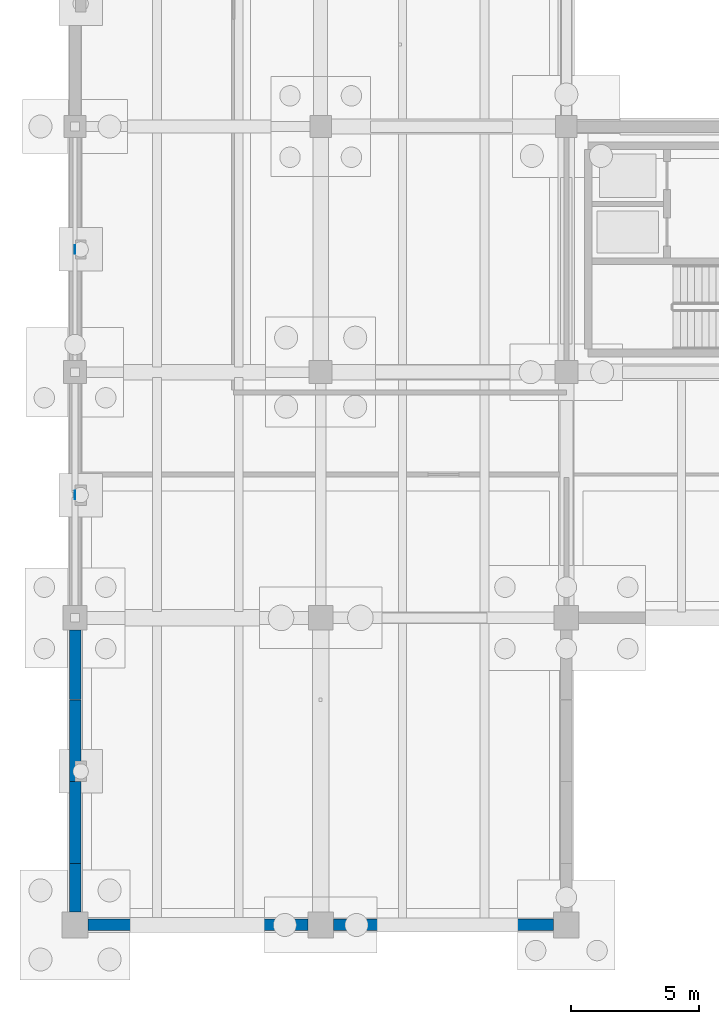
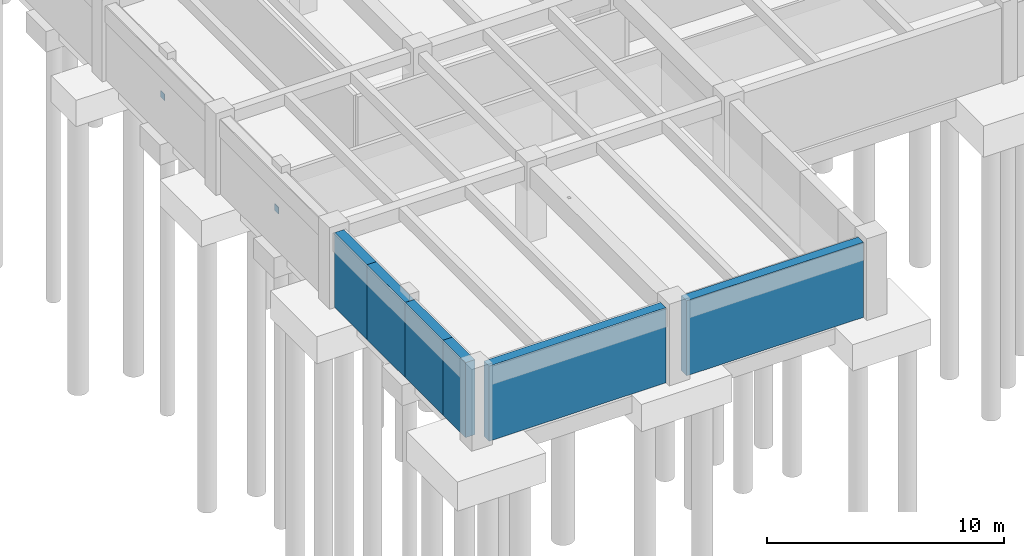
# One storey, part 14 of 41: 6 walls, 2 plates.
"""IFC4 building model written with IfcOpenShell, lengths in metres."""

from ifc_helpers import new_model, si_unit, direction, frame, frame_2d, origin, origin_2d, place, context, subcontext, project, spatial, rectangle, extrude, material, layer, layer_set, type_object, element, save


model = new_model("IFC4")

# Units and contexts
model_context = context("Model", 3, precision=1e-05, world=origin(), true_north=direction((0.0, 1.0)))
body_context = subcontext(model_context, "Body", "Model", "MODEL_VIEW")
ifc_project = project(units=[si_unit("LENGTHUNIT", "METRE"), si_unit("AREAUNIT", "SQUARE_METRE"), si_unit("VOLUMEUNIT", "CUBIC_METRE"), si_unit("PLANEANGLEUNIT", "RADIAN"), si_unit("MASSUNIT", "GRAM", prefix="KILO")], contexts=[model_context])

# Site, building, storey
site_placement = place(None, origin())
site = spatial("IfcSite", under=ifc_project, at=site_placement, CompositionType="ELEMENT")
building_placement = place(site_placement, origin())
building = spatial("IfcBuilding", under=site, at=building_placement, Name="Fikremerkos Civic Library", CompositionType="ELEMENT")
storey_placement = place(building_placement, frame((0.0, 0.0, -8.39990234375)))
storey = spatial("IfcBuildingStorey", under=building, at=storey_placement, Name="B02", CompositionType="ELEMENT", Elevation=-8.39990234375)

# Plates
ifc_material_1 = material(Name="Steel S355", Category="steel")
ifc_layer_1 = layer(ifc_material_1, 0.02001953125, Name="Steel S355")
ifc_layer_set_1 = layer_set([ifc_layer_1], Name="Steel S355")
plate_type = type_object("IfcPlateType", Name="Steel gusset cap plate GSP-03 340x340x20", PredefinedType="USERDEFINED", material=ifc_layer_set_1)
for number, where, z_axis, x_axis, name in (
    (1, (0.0, 16.800048828125, 1.634765625), (0.0, 0.0, 1.0), (1.0, 0.0, 0.0), "Steel gusset cap plate GSP-03 #56"),
    (2, (0.0, 26.39990234375, 1.634765625), (0.0, 0.0, 1.0), (1.0, 0.0, 0.0), "Steel gusset cap plate GSP-03 #57"),
):
    element("IfcPlate", number, at=place(storey_placement, frame(where, z_axis=z_axis, x_axis=x_axis)), inside=storey, type_object=plate_type, Name=name, ObjectType="GUSSET PLATE", PredefinedType="USERDEFINED", context=body_context, shape_type="SweptSolid", body=[
        extrude(rectangle(XDim=0.02001953125, YDim=0.340087890625, at=origin_2d()), origin(), (0.0, 0.0, 1.0), 0.340087890625),
    ])

# Walls
ifc_material_2 = material(Name="Concrete C40/50", Category="concrete")
ifc_layer_2 = layer(ifc_material_2, 0.449951171875, Name="Concrete C40/50")
ifc_layer_set_2 = layer_set([ifc_layer_2], Name="Concrete C40/50")
wall_type = type_object("IfcWallType", Name="Basement retaining wall BRW-01 450", PredefinedType="USERDEFINED", material=ifc_layer_set_2)
for number, where, z_axis, x_axis, name in (
    (3, (18.701904296875, 0.0, 0.0), (0.0, 0.0, 1.0), (-1.0, 0.0, 0.0), "Basement retaining wall BRW-01 B02 #13"),
    (4, (9.10205078125, 0.0, 0.0), (0.0, 0.0, 1.0), (-1.0, 0.0, 0.0), "Basement retaining wall BRW-01 B02 #14"),
):
    element("IfcWall", number, at=place(storey_placement, frame(where, z_axis=z_axis, x_axis=x_axis)), inside=storey, type_object=wall_type, Name=name, ObjectType="RETAINING WALL", PredefinedType="USERDEFINED", context=body_context, shape_type="SweptSolid", body=[
        extrude(rectangle(XDim=8.60400390625, YDim=0.449951171875, at=frame_2d((4.302001953125, 0.0))), origin(), (0.0, 0.0, 1.0), 3.85986328125),
    ])
wall_1_placement = place(storey_placement, frame((0.0, 0.498046875, 0.0), z_axis=(0.0, 0.0, 1.0), x_axis=(0.0, 1.0, 0.0)))
element("IfcWall", 5, at=wall_1_placement, inside=storey, type_object=wall_type, Name="Basement retaining wall BRW-01 B02 #15", ObjectType="RETAINING WALL", PredefinedType="USERDEFINED", context=body_context, shape_type="SweptSolid", body=[
    extrude(rectangle(XDim=1.89990234375, YDim=0.449951171875, at=frame_2d((0.949951171875, 0.0))), origin(), (0.0, 0.0, 1.0), 3.85986328125),
])
wall_2_placement = place(storey_placement, frame((0.0, 2.402099609375, 0.0), z_axis=(0.0, 0.0, 1.0), x_axis=(0.0, 1.0, 0.0)))
element("IfcWall", 6, at=wall_2_placement, inside=storey, type_object=wall_type, Name="Basement retaining wall BRW-01 B02 #16", ObjectType="RETAINING WALL", PredefinedType="USERDEFINED", context=body_context, shape_type="SweptSolid", body=[
    extrude(rectangle(XDim=3.19580078125, YDim=0.449951171875, at=frame_2d((1.597900390625, 0.0))), origin(), (0.0, 0.0, 1.0), 3.85986328125),
])
wall_3_placement = place(storey_placement, frame((0.0, 5.60205078125, 0.0), z_axis=(0.0, 0.0, 1.0), x_axis=(0.0, 1.0, 0.0)))
element("IfcWall", 7, at=wall_3_placement, inside=storey, type_object=wall_type, Name="Basement retaining wall BRW-01 B02 #17", ObjectType="RETAINING WALL", PredefinedType="USERDEFINED", context=body_context, shape_type="SweptSolid", body=[
    extrude(rectangle(XDim=3.196044921875, YDim=0.449951171875, at=frame_2d((1.59814453125, 0.0))), origin(), (0.0, 0.0, 1.0), 3.85986328125),
])
wall_4_placement = place(storey_placement, frame((0.0, 8.802001953125, 0.0), z_axis=(0.0, 0.0, 1.0), x_axis=(0.0, 1.0, 0.0)))
element("IfcWall", 8, at=wall_4_placement, inside=storey, type_object=wall_type, Name="Basement retaining wall BRW-01 B02 #18", ObjectType="RETAINING WALL", PredefinedType="USERDEFINED", context=body_context, shape_type="SweptSolid", body=[
    extrude(rectangle(XDim=2.72509765625, YDim=0.449951171875, at=frame_2d((1.362548828125, 0.0))), origin(), (0.0, 0.0, 1.0), 3.85986328125),
])

save(model, "model.ifc")
